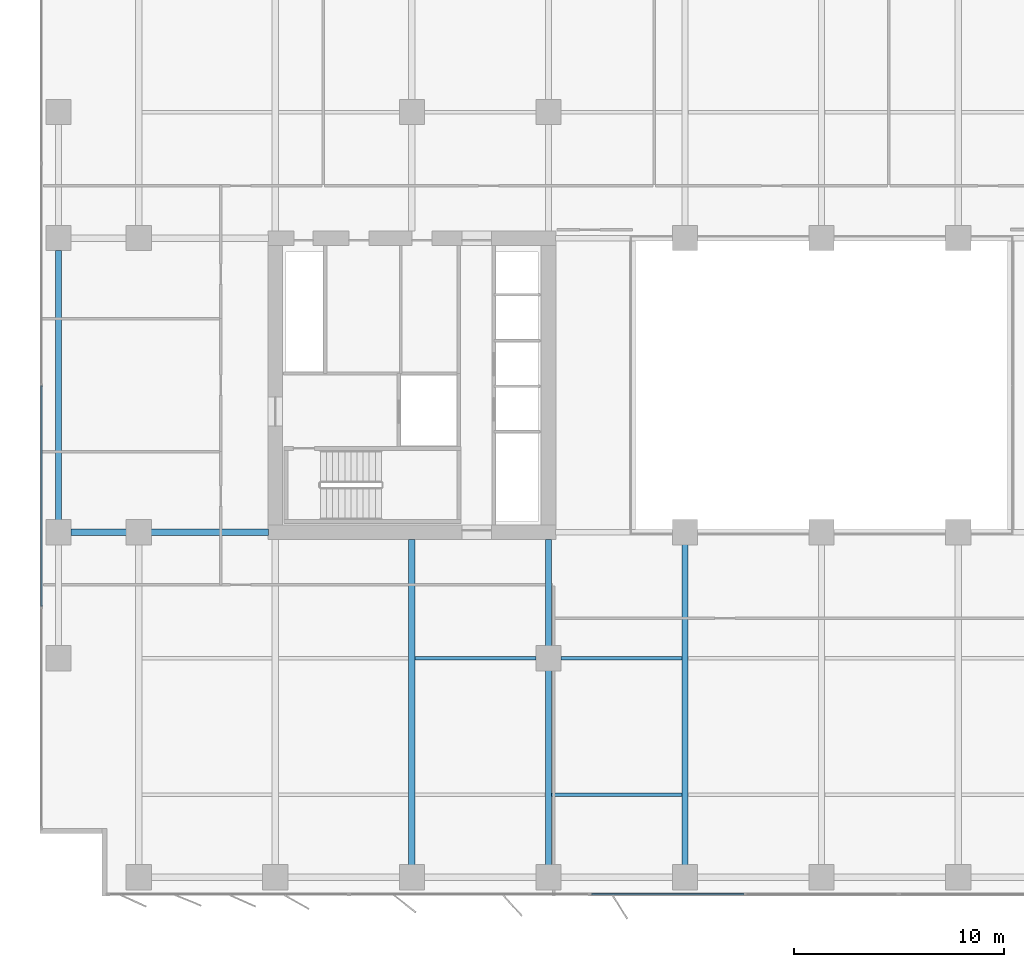
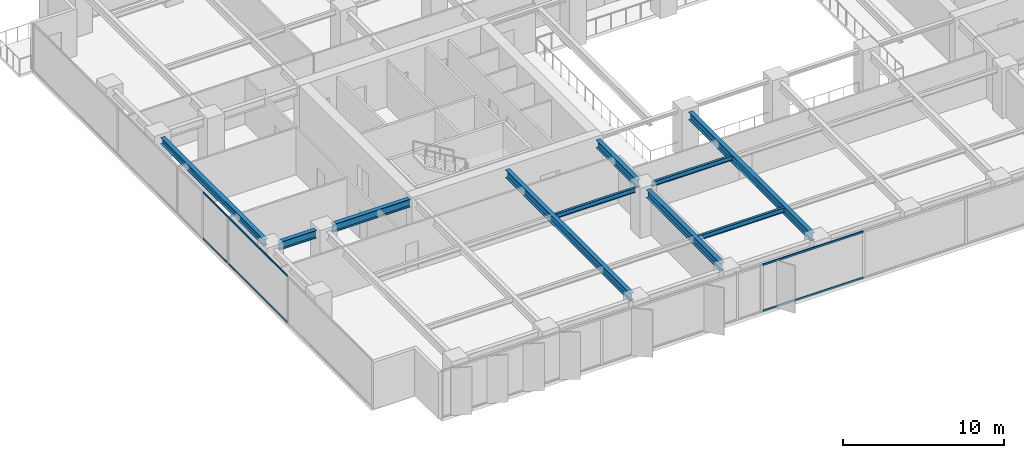
# One storey, part 3 of 20: 10 beams, 4 members, 2 elements without a shape of their own.
"""IFC4 building model written with IfcOpenShell, lengths in metres."""

from ifc_helpers import new_model, si_unit, direction, frame, origin, origin_2d, place, context, subcontext, project, spatial, rectangle, i_section, extrude, material, layer, layer_set, material_profile, profile_set, type_object, element, aggregate, save


model = new_model("IFC4")

# Units and contexts
model_context = context("Model", 3, precision=1e-05, world=origin(), true_north=direction((0.0, 1.0)))
body_context = subcontext(model_context, "Body", "Model", "MODEL_VIEW")
ifc_project = project(units=[si_unit("LENGTHUNIT", "METRE"), si_unit("AREAUNIT", "SQUARE_METRE"), si_unit("VOLUMEUNIT", "CUBIC_METRE"), si_unit("PLANEANGLEUNIT", "RADIAN"), si_unit("MASSUNIT", "GRAM", prefix="KILO")], contexts=[model_context])

# Site, building, storey
site_placement = place(None, origin())
site = spatial("IfcSite", under=ifc_project, at=site_placement, CompositionType="ELEMENT")
building_placement = place(site_placement, origin())
building = spatial("IfcBuilding", under=site, at=building_placement, Name="Putna Gate Headquarters", CompositionType="ELEMENT")
storey_placement = place(building_placement, frame((0.0, 0.0, 89.800048828125)))
storey = spatial("IfcBuildingStorey", under=building, at=storey_placement, Name="L21", CompositionType="ELEMENT", Elevation=89.800048828125)

# Beams
ifc_material_1 = material(Name="Steel S355J2", Category="steel")
ifc_material_profile_1 = material_profile(ifc_material_1, i_section(OverallWidth=0.300048828125, OverallDepth=0.60009765625, WebThickness=0.015380859375, FlangeThickness=0.030029296875, at=origin_2d()), Name="Steel S355J2")
ifc_profile_set_1 = profile_set([ifc_material_profile_1], Name="Steel S355J2")
beam_type_1 = type_object("IfcBeamType", Name="BM-GIRD-Z2-HEB600", PredefinedType="USERDEFINED", material=ifc_profile_set_1)
beam_1_placement = place(storey_placement, frame((3.26806640625, 19.0, 3.264892578125), z_axis=(1.0, 0.0, 0.0), x_axis=(0.0, 1.0, 0.0)))
element("IfcBeam", 1, at=beam_1_placement, inside=storey, type_object=beam_type_1, Name="L21 West Wing Girder Y19-1", ObjectType="GIRDER", PredefinedType="USERDEFINED", context=body_context, shape_type="SweptSolid", body=[
    extrude(i_section(OverallWidth=0.300048828125, OverallDepth=0.60009765625, WebThickness=0.015380859375, FlangeThickness=0.030029296875, at=origin_2d()), origin(), (0.0, 0.0, 1.0), 2.64404296875),
])
beam_2_placement = place(storey_placement, frame((7.087890625, 19.0, 3.264892578125), z_axis=(1.0, 0.0, 0.0), x_axis=(0.0, 1.0, 0.0)))
element("IfcBeam", 2, at=beam_2_placement, inside=storey, type_object=beam_type_1, Name="L21 West Wing Girder Y19-2", ObjectType="GIRDER", PredefinedType="USERDEFINED", context=body_context, shape_type="SweptSolid", body=[
    extrude(i_section(OverallWidth=0.300048828125, OverallDepth=0.60009765625, WebThickness=0.015380859375, FlangeThickness=0.030029296875, at=origin_2d()), origin(), (0.0, 0.0, 1.0), 5.5771484375),
])
beam_3_placement = place(storey_placement, frame((19.5, 3.16796875, 3.264892578125), z_axis=(0.0, 1.0, 0.0), x_axis=(-1.0, 0.0, 0.0)))
element("IfcBeam", 3, at=beam_3_placement, inside=storey, type_object=beam_type_1, Name="L21 South Primary Girder X19", ObjectType="GIRDER", PredefinedType="USERDEFINED", context=body_context, shape_type="SweptSolid", body=[
    extrude(i_section(OverallWidth=0.300048828125, OverallDepth=0.60009765625, WebThickness=0.015380859375, FlangeThickness=0.030029296875, at=origin_2d()), origin(), (0.0, 0.0, 1.0), 15.4970703125),
])
beam_4_placement = place(storey_placement, frame((26.0, 3.16796875, 3.264892578125), z_axis=(0.0, 1.0, 0.0), x_axis=(-1.0, 0.0, 0.0)))
element("IfcBeam", 4, at=beam_4_placement, inside=storey, type_object=beam_type_1, Name="L21 South Primary Girder X26-1", ObjectType="GIRDER", PredefinedType="USERDEFINED", context=body_context, shape_type="SweptSolid", body=[
    extrude(i_section(OverallWidth=0.300048828125, OverallDepth=0.60009765625, WebThickness=0.015380859375, FlangeThickness=0.030029296875, at=origin_2d()), origin(), (0.0, 0.0, 1.0), 9.244140625),
])
beam_5_placement = place(storey_placement, frame((26.0, 13.587890625, 3.264892578125), z_axis=(0.0, 1.0, 0.0), x_axis=(-1.0, 0.0, 0.0)))
element("IfcBeam", 5, at=beam_5_placement, inside=storey, type_object=beam_type_1, Name="L21 South Primary Girder X26-2", ObjectType="GIRDER", PredefinedType="USERDEFINED", context=body_context, shape_type="SweptSolid", body=[
    extrude(i_section(OverallWidth=0.300048828125, OverallDepth=0.60009765625, WebThickness=0.015380859375, FlangeThickness=0.030029296875, at=origin_2d()), origin(), (0.0, 0.0, 1.0), 5.0771484375),
])
beam_6_placement = place(storey_placement, frame((32.5, 3.16796875, 3.264892578125), z_axis=(0.0, 1.0, 0.0), x_axis=(-1.0, 0.0, 0.0)))
element("IfcBeam", 6, at=beam_6_placement, inside=storey, type_object=beam_type_1, Name="L21 South Primary Girder X32", ObjectType="GIRDER", PredefinedType="USERDEFINED", context=body_context, shape_type="SweptSolid", body=[
    extrude(i_section(OverallWidth=0.300048828125, OverallDepth=0.60009765625, WebThickness=0.015380859375, FlangeThickness=0.030029296875, at=origin_2d()), origin(), (0.0, 0.0, 1.0), 15.244140625),
])
ifc_material_profile_2 = material_profile(ifc_material_1, i_section(OverallWidth=0.169921875, OverallDepth=0.360107421875, WebThickness=0.008056640625, FlangeThickness=0.0126953125, at=origin_2d()), Name="Steel S355J2")
ifc_profile_set_2 = profile_set([ifc_material_profile_2], Name="Steel S355J2")
beam_type_2 = type_object("IfcBeamType", Name="BM-SEC-Z2-IPE360", PredefinedType="BEAM", material=ifc_profile_set_2)
beam_7_placement = place(storey_placement, frame((19.654052734375, 13.0, 3.385009765625), z_axis=(1.0, 0.0, 0.0), x_axis=(0.0, 1.0, 0.0)))
element("IfcBeam", 7, at=beam_7_placement, inside=storey, type_object=beam_type_2, Name="L21 South Secondary Beam 3", PredefinedType="BEAM", context=body_context, shape_type="SweptSolid", body=[
    extrude(i_section(OverallWidth=0.169921875, OverallDepth=0.360107421875, WebThickness=0.008056640625, FlangeThickness=0.0126953125, at=origin_2d()), origin(), (0.0, 0.0, 1.0), 5.758056640625),
])
beam_8_placement = place(storey_placement, frame((26.154052734375, 6.5, 3.385009765625), z_axis=(1.0, 0.0, 0.0), x_axis=(0.0, 1.0, 0.0)))
element("IfcBeam", 8, at=beam_8_placement, inside=storey, type_object=beam_type_2, Name="L21 South Secondary Beam 4", PredefinedType="BEAM", context=body_context, shape_type="SweptSolid", body=[
    extrude(i_section(OverallWidth=0.169921875, OverallDepth=0.360107421875, WebThickness=0.008056640625, FlangeThickness=0.0126953125, at=origin_2d()), origin(), (0.0, 0.0, 1.0), 6.19189453125),
])
beam_9_placement = place(storey_placement, frame((26.587890625, 13.0, 3.385009765625), z_axis=(1.0, 0.0, 0.0), x_axis=(0.0, 1.0, 0.0)))
element("IfcBeam", 9, at=beam_9_placement, inside=storey, type_object=beam_type_2, Name="L21 South Secondary Beam 4", PredefinedType="BEAM", context=body_context, shape_type="SweptSolid", body=[
    extrude(i_section(OverallWidth=0.169921875, OverallDepth=0.360107421875, WebThickness=0.008056640625, FlangeThickness=0.0126953125, at=origin_2d()), origin(), (0.0, 0.0, 1.0), 5.758056640625),
])
ifc_material_profile_3 = material_profile(ifc_material_1, i_section(OverallWidth=0.300048828125, OverallDepth=0.489990234375, WebThickness=0.011962890625, FlangeThickness=0.02294921875, at=origin_2d()), Name="Steel S355J2")
ifc_profile_set_3 = profile_set([ifc_material_profile_3], Name="Steel S355J2")
beam_type_3 = type_object("IfcBeamType", Name="BM-SPAN-Z2-HEA500", PredefinedType="SPANDREL", material=ifc_profile_set_3)
beam_10_placement = place(storey_placement, frame((2.679931640625, 19.587890625, 3.320068359375), z_axis=(0.0, 1.0, 0.0), x_axis=(-1.0, 0.0, 0.0)))
element("IfcBeam", 10, at=beam_10_placement, inside=storey, type_object=beam_type_3, Name="L21 W End Spandrel 2", PredefinedType="SPANDREL", context=body_context, shape_type="SweptSolid", body=[
    extrude(i_section(OverallWidth=0.300048828125, OverallDepth=0.489990234375, WebThickness=0.011962890625, FlangeThickness=0.02294921875, at=origin_2d()), origin(), (0.0, 0.0, 1.0), 12.82421875),
])

# Curtain wall, members
ifc_material_2 = material(Name="Anodised bronze aluminium curtain wall", Category="aluminium")
ifc_layer_1 = layer(ifc_material_2, 0.159912109375)
ifc_layer_set_1 = layer_set([ifc_layer_1], Name="Anodised bronze aluminium curtain wall")
curtain_wall_type_1 = type_object("IfcCurtainWallType", Name="CW-SYS-Z2", PredefinedType="USERDEFINED", material=ifc_layer_set_1)
curtain_wall_1_placement = place(storey_placement, origin())
curtain_wall_1 = element("IfcCurtainWall", 11, at=curtain_wall_1_placement, inside=storey, type_object=curtain_wall_type_1, Name="L21 West Curtain Wall", ObjectType="STICK CURTAIN WALL", PredefinedType="USERDEFINED")
ifc_material_3 = material(Name="Anodised bronze aluminium EN AW-6060", Category="aluminium")
ifc_material_profile_4 = material_profile(ifc_material_3, rectangle(XDim=0.06494140625, YDim=0.1201171875, at=origin_2d()), Name="Anodised bronze aluminium EN AW-6060")
ifc_profile_set_4 = profile_set([ifc_material_profile_4], Name="Anodised bronze aluminium EN AW-6060")
member_type_1 = type_object("IfcMemberType", Name="TRAN-CWT-2", PredefinedType="USERDEFINED", material=ifc_profile_set_4)
member_1_placement = place(storey_placement, frame((1.8798828125, 15.482421875, 0.032470703125), z_axis=(0.0, 1.0, 0.0), x_axis=(-1.0, 0.0, 0.0)))
member_1 = element("IfcMember", 12, at=member_1_placement, type_object=member_type_1, Name="CWS-2 transom 2.1", ObjectType="TRANSOM", PredefinedType="USERDEFINED", context=body_context, shape_type="SweptSolid", body=[
    extrude(rectangle(XDim=0.06494140625, YDim=0.1201171875, at=origin_2d()), origin(), (0.0, 0.0, 1.0), 10.485107421875),
])
member_2_placement = place(storey_placement, frame((1.8798828125, 15.482421875, 3.532470703125), z_axis=(0.0, 1.0, 0.0), x_axis=(-1.0, 0.0, 0.0)))
member_2 = element("IfcMember", 13, at=member_2_placement, type_object=member_type_1, Name="CWS-2 transom 2.2", ObjectType="TRANSOM", PredefinedType="USERDEFINED", context=body_context, shape_type="SweptSolid", body=[
    extrude(rectangle(XDim=0.06494140625, YDim=0.1201171875, at=origin_2d()), origin(), (0.0, 0.0, 1.0), 10.485107421875),
])
aggregate(curtain_wall_1, [member_1, member_2])

ifc_layer_2 = layer(ifc_material_2, 0.179931640625)
ifc_layer_set_2 = layer_set([ifc_layer_2], Name="Anodised bronze aluminium curtain wall")
curtain_wall_type_2 = type_object("IfcCurtainWallType", Name="CW-SYS-ATR", PredefinedType="USERDEFINED", material=ifc_layer_set_2)
curtain_wall_2_placement = place(storey_placement, origin())
curtain_wall_2 = element("IfcCurtainWall", 14, at=curtain_wall_2_placement, inside=storey, type_object=curtain_wall_type_2, Name="L21 South Atrium Clear Glazing", ObjectType="ATRIUM GLAZING", PredefinedType="USERDEFINED")
ifc_material_profile_5 = material_profile(ifc_material_3, rectangle(XDim=0.070068359375, YDim=0.139892578125, at=origin_2d()), Name="Anodised bronze aluminium EN AW-6060")
ifc_profile_set_5 = profile_set([ifc_material_profile_5], Name="Anodised bronze aluminium EN AW-6060")
member_type_2 = type_object("IfcMemberType", Name="TRAN-CWT-AT", PredefinedType="USERDEFINED", material=ifc_profile_set_5)
member_3_placement = place(storey_placement, frame((28.070068359375, 1.780029296875, 0.034912109375), z_axis=(1.0, 0.0, 0.0), x_axis=(0.0, 1.0, 0.0)))
member_3 = element("IfcMember", 15, at=member_3_placement, type_object=member_type_2, Name="CWS-AT transom 1.1", ObjectType="TRANSOM", PredefinedType="USERDEFINED", context=body_context, shape_type="SweptSolid", body=[
    extrude(rectangle(XDim=0.070068359375, YDim=0.139892578125, at=origin_2d()), origin(), (0.0, 0.0, 1.0), 7.228271484375),
])
member_4_placement = place(storey_placement, frame((28.070068359375, 1.780029296875, 3.530029296875), z_axis=(1.0, 0.0, 0.0), x_axis=(0.0, 1.0, 0.0)))
member_4 = element("IfcMember", 16, at=member_4_placement, type_object=member_type_2, Name="CWS-AT transom 1.2", ObjectType="TRANSOM", PredefinedType="USERDEFINED", context=body_context, shape_type="SweptSolid", body=[
    extrude(rectangle(XDim=0.070068359375, YDim=0.139892578125, at=origin_2d()), origin(), (0.0, 0.0, 1.0), 7.228271484375),
])
aggregate(curtain_wall_2, [member_3, member_4])

save(model, "model.ifc")
